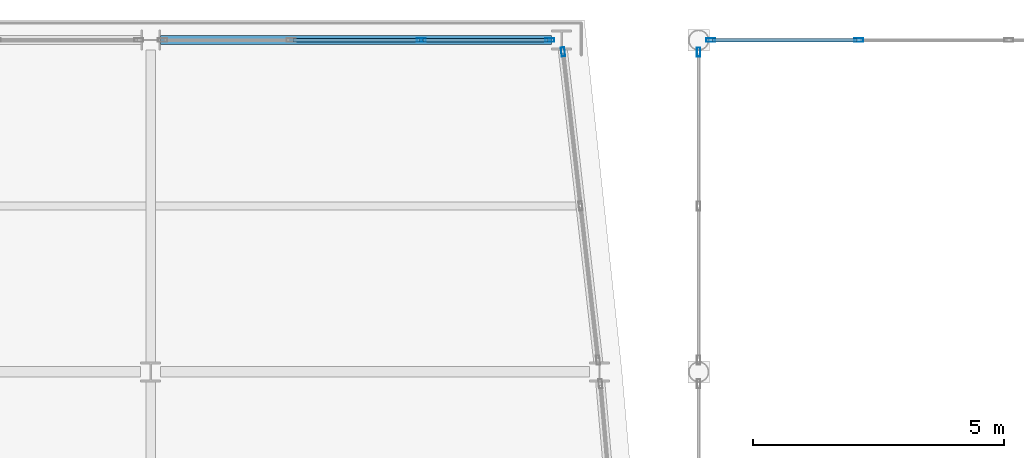
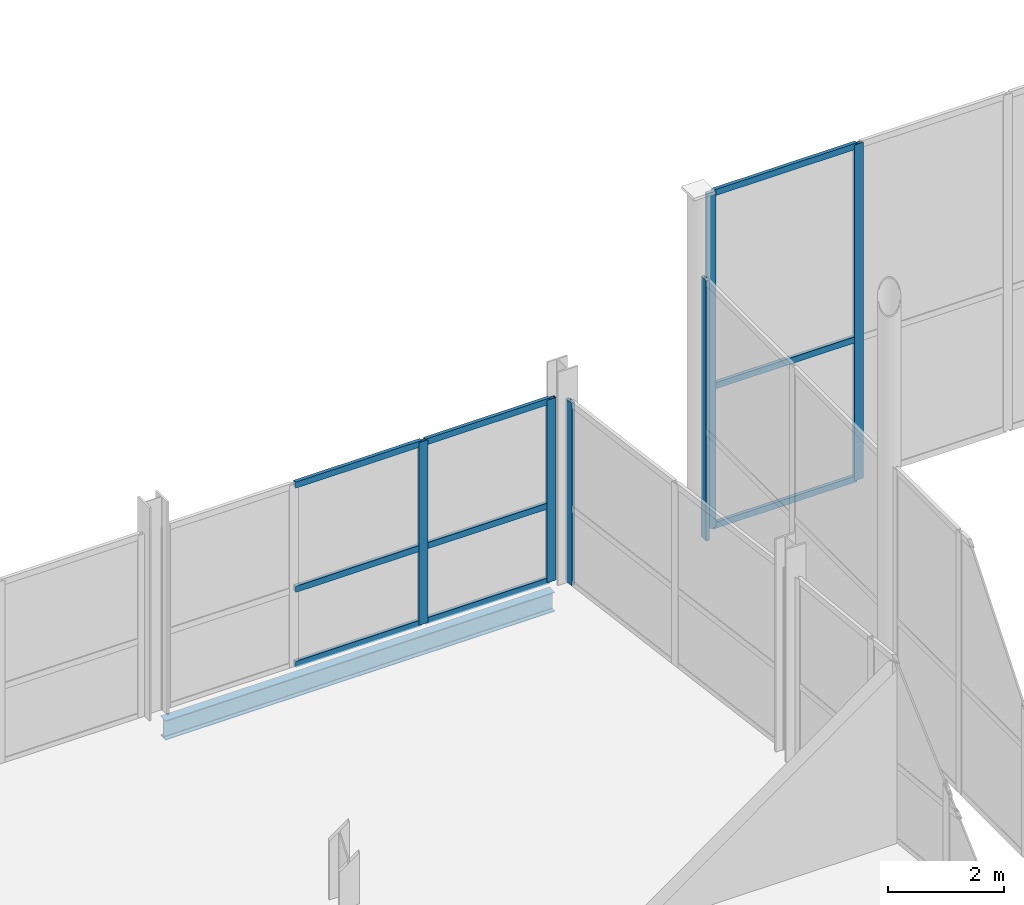
# One storey, part 38 of 77: 15 members, 1 beam, 4 elements without a shape of their own.
"""IFC4 building model written with IfcOpenShell, lengths in metres."""

from ifc_helpers import new_model, si_unit, direction, frame, origin, origin_2d, place, context, subcontext, project, spatial, hollow_rectangle, i_section, extrude, material, layer, layer_set, material_profile, profile_set, type_object, element, aggregate, save


model = new_model("IFC4")

# Units and contexts
model_context = context("Model", 3, precision=1e-05, world=origin(), true_north=direction((0.0, 1.0)))
body_context = subcontext(model_context, "Body", "Model", "MODEL_VIEW")
ifc_project = project(units=[si_unit("LENGTHUNIT", "METRE"), si_unit("AREAUNIT", "SQUARE_METRE"), si_unit("VOLUMEUNIT", "CUBIC_METRE"), si_unit("PLANEANGLEUNIT", "RADIAN"), si_unit("MASSUNIT", "GRAM", prefix="KILO")], contexts=[model_context])

# Site, building, storey
site_placement = place(None, origin())
site = spatial("IfcSite", under=ifc_project, at=site_placement, CompositionType="ELEMENT")
building_placement = place(site_placement, origin())
building = spatial("IfcBuilding", under=site, at=building_placement, Name="Quillay Park Conservatory", CompositionType="ELEMENT")
storey_placement = place(building_placement, frame((0.0, 0.0, 5.39990234375)))
storey = spatial("IfcBuildingStorey", under=building, at=storey_placement, Name="L01", CompositionType="ELEMENT", Elevation=5.39990234375)

# Curtain wall, member
ifc_material_1 = material(Name="Thermally Broken Anodised Aluminium 6063-T6", Category="aluminium")
ifc_layer_1 = layer(ifc_material_1, 0.179931640625)
ifc_layer_set_1 = layer_set([ifc_layer_1], Name="UNITISED CURTAIN WALL TOWER (Thermally Broken Anodised Aluminium 6063-T6)")
curtain_wall_type_1 = type_object("IfcCurtainWallType", Name="UNITISED CURTAIN WALL TOWER", PredefinedType="USERDEFINED", material=ifc_layer_set_1)
curtain_wall_1_placement = place(storey_placement, origin())
curtain_wall_1 = element("IfcCurtainWall", 1, at=curtain_wall_1_placement, inside=storey, type_object=curtain_wall_type_1, Name="L01 Unitised Curtain Wall 015", ObjectType="UNITISED CURTAIN WALL", PredefinedType="USERDEFINED")
ifc_material_2 = material(Name="Thermally Broken Anodised Aluminium 6063-T6", Category="aluminium")
ifc_material_profile_1 = material_profile(ifc_material_2, hollow_rectangle(XDim=0.070068359375, YDim=0.179931640625, WallThickness=0.00390625, at=origin_2d()), Name="AL70x180x4")
ifc_profile_set_1 = profile_set([ifc_material_profile_1], Name="Thermally Broken Anodised Aluminium 6063-T6")
member_type_1 = type_object("IfcMemberType", Name="CURTAIN WALL MULLION 70 X180", PredefinedType="MULLION", material=ifc_profile_set_1)
member_1_placement = place(storey_placement, frame((27.95166015625, 113.16650390625, 0.0), z_axis=(0.0, 0.0, 1.0), x_axis=(0.993605989969, 0.112903218278, 0.0)))
member_1 = element("IfcMember", 2, at=member_1_placement, type_object=member_type_1, Name="CW-T1 mullion 1", PredefinedType="MULLION", context=body_context, shape_type="SweptSolid", body=[
    extrude(hollow_rectangle(XDim=0.070068359375, YDim=0.179931640625, WallThickness=0.00390625, at=origin_2d()), origin(), (0.0, 0.0, 1.0), 3.859130859375),
])
aggregate(curtain_wall_1, [member_1])

# Curtain wall, members
curtain_wall_2_placement = place(storey_placement, origin())
curtain_wall_2 = element("IfcCurtainWall", 3, at=curtain_wall_2_placement, inside=storey, type_object=curtain_wall_type_1, Name="L01 Unitised Curtain Wall 018", ObjectType="UNITISED CURTAIN WALL", PredefinedType="USERDEFINED")
member_2_placement = place(storey_placement, frame((25.13330078125, 113.39990234375, 0.0), z_axis=(0.0, 0.0, 1.0), x_axis=(0.0, 1.0, 0.0)))
member_2 = element("IfcMember", 4, at=member_2_placement, type_object=member_type_1, Name="CW-T1 mullion 3", PredefinedType="MULLION", context=body_context, shape_type="SweptSolid", body=[
    extrude(hollow_rectangle(XDim=0.070068359375, YDim=0.179931640625, WallThickness=0.00390625, at=origin_2d()), origin(), (0.0, 0.0, 1.0), 3.859130859375),
])
member_3_placement = place(storey_placement, frame((27.68994140625, 113.39990234375, 0.0), z_axis=(0.0, 0.0, 1.0), x_axis=(0.0, 1.0, 0.0)))
member_3 = element("IfcMember", 5, at=member_3_placement, type_object=member_type_1, Name="CW-T1 mullion 4", PredefinedType="MULLION", context=body_context, shape_type="SweptSolid", body=[
    extrude(hollow_rectangle(XDim=0.070068359375, YDim=0.179931640625, WallThickness=0.00390625, at=origin_2d()), origin(), (0.0, 0.0, 1.0), 3.859130859375),
])

ifc_material_3 = material(Name="Thermally Broken Anodised Aluminium 6063-T6", Category="aluminium")
ifc_layer_2 = layer(ifc_material_3, 0.219970703125)
ifc_layer_set_2 = layer_set([ifc_layer_2], Name="UNITISED CURTAIN WALL CONSERVATORY (Thermally Broken Anodised Aluminium 6063-T6)")
curtain_wall_type_2 = type_object("IfcCurtainWallType", Name="UNITISED CURTAIN WALL CONSERVATORY", PredefinedType="USERDEFINED", material=ifc_layer_set_2)
curtain_wall_3_placement = place(storey_placement, origin())
curtain_wall_3 = element("IfcCurtainWall", 6, at=curtain_wall_3_placement, inside=storey, type_object=curtain_wall_type_2, Name="L01 Unitised Curtain Wall 148", ObjectType="UNITISED CURTAIN WALL", PredefinedType="USERDEFINED")
member_4_placement = place(storey_placement, frame((30.886962890625, 113.39990234375, 0.0), z_axis=(0.0, 0.0, 1.0), x_axis=(0.0, 1.0, 0.0)))
member_4 = element("IfcMember", 7, at=member_4_placement, type_object=member_type_1, Name="CW-C1 mullion 1", PredefinedType="MULLION", context=body_context, shape_type="SweptSolid", body=[
    extrude(hollow_rectangle(XDim=0.070068359375, YDim=0.179931640625, WallThickness=0.00390625, at=origin_2d()), origin(), (0.0, 0.0, 1.0), 7.104248046875),
])
member_5_placement = place(storey_placement, frame((33.8359375, 113.39990234375, 0.0), z_axis=(0.0, 0.0, 1.0), x_axis=(0.0, 1.0, 0.0)))
member_5 = element("IfcMember", 8, at=member_5_placement, type_object=member_type_1, Name="CW-C1 mullion 2", PredefinedType="MULLION", context=body_context, shape_type="SweptSolid", body=[
    extrude(hollow_rectangle(XDim=0.070068359375, YDim=0.179931640625, WallThickness=0.00390625, at=origin_2d()), origin(), (0.0, 0.0, 1.0), 7.104248046875),
])

# Curtain wall, member
curtain_wall_4_placement = place(storey_placement, origin())
curtain_wall_4 = element("IfcCurtainWall", 9, at=curtain_wall_4_placement, inside=storey, type_object=curtain_wall_type_2, Name="L01 Unitised Curtain Wall 172", ObjectType="UNITISED CURTAIN WALL", PredefinedType="USERDEFINED")
member_6_placement = place(storey_placement, frame((30.64990234375, 113.1630859375, 0.0), z_axis=(0.0, 0.0, 1.0), x_axis=(-1.0, 0.0, 0.0)))
member_6 = element("IfcMember", 10, at=member_6_placement, type_object=member_type_1, Name="CW-C1 mullion 3", PredefinedType="MULLION", context=body_context, shape_type="SweptSolid", body=[
    extrude(hollow_rectangle(XDim=0.070068359375, YDim=0.179931640625, WallThickness=0.00390625, at=origin_2d()), origin(), (0.0, 0.0, 1.0), 5.5),
])
aggregate(curtain_wall_4, [member_6])

# Member
ifc_material_4 = material(Name="Thermally Broken Anodised Aluminium 6063-T6", Category="aluminium")
ifc_material_profile_2 = material_profile(ifc_material_4, hollow_rectangle(XDim=0.070068359375, YDim=0.1298828125, WallThickness=0.003173828125, at=origin_2d()), Name="AL70x130x3.2")
ifc_profile_set_2 = profile_set([ifc_material_profile_2], Name="Thermally Broken Anodised Aluminium 6063-T6")
member_type_2 = type_object("IfcMemberType", Name="CURTAIN WALL TRANSOM 70 X130", PredefinedType="USERDEFINED", material=ifc_profile_set_2)
member_7_placement = place(storey_placement, frame((22.57666015625, 113.39990234375, 0.03515625), z_axis=(1.0, 0.0, 0.0), x_axis=(0.0, 1.0, 0.0)))
member_7 = element("IfcMember", 11, at=member_7_placement, type_object=member_type_2, Name="CW-T1 transom 2.1", ObjectType="TRANSOM", PredefinedType="USERDEFINED", context=body_context, shape_type="SweptSolid", body=[
    extrude(hollow_rectangle(XDim=0.070068359375, YDim=0.1298828125, WallThickness=0.003173828125, at=origin_2d()), origin(), (0.0, 0.0, 1.0), 2.521728515625),
])

member_8_placement = place(storey_placement, frame((22.57666015625, 113.39990234375, 1.620849609375), z_axis=(1.0, 0.0, 0.0), x_axis=(0.0, 1.0, 0.0)))
member_8 = element("IfcMember", 12, at=member_8_placement, type_object=member_type_2, Name="CW-T1 transom 2.2", ObjectType="TRANSOM", PredefinedType="USERDEFINED", context=body_context, shape_type="SweptSolid", body=[
    extrude(hollow_rectangle(XDim=0.070068359375, YDim=0.1298828125, WallThickness=0.003173828125, at=origin_2d()), origin(), (0.0, 0.0, 1.0), 2.521728515625),
])

member_9_placement = place(storey_placement, frame((22.57666015625, 113.39990234375, 3.82421875), z_axis=(1.0, 0.0, 0.0), x_axis=(0.0, 1.0, 0.0)))
member_9 = element("IfcMember", 13, at=member_9_placement, type_object=member_type_2, Name="CW-T1 transom 2.3", ObjectType="TRANSOM", PredefinedType="USERDEFINED", context=body_context, shape_type="SweptSolid", body=[
    extrude(hollow_rectangle(XDim=0.070068359375, YDim=0.1298828125, WallThickness=0.003173828125, at=origin_2d()), origin(), (0.0, 0.0, 1.0), 2.521728515625),
])

member_10_placement = place(storey_placement, frame((25.168212890625, 113.39990234375, 0.03515625), z_axis=(1.0, 0.0, 0.0), x_axis=(0.0, 1.0, 0.0)))
member_10 = element("IfcMember", 14, at=member_10_placement, type_object=member_type_2, Name="CW-T1 transom 3.1", ObjectType="TRANSOM", PredefinedType="USERDEFINED", context=body_context, shape_type="SweptSolid", body=[
    extrude(hollow_rectangle(XDim=0.070068359375, YDim=0.1298828125, WallThickness=0.003173828125, at=origin_2d()), origin(), (0.0, 0.0, 1.0), 2.48681640625),
])

member_11_placement = place(storey_placement, frame((25.168212890625, 113.39990234375, 1.620849609375), z_axis=(1.0, 0.0, 0.0), x_axis=(0.0, 1.0, 0.0)))
member_11 = element("IfcMember", 15, at=member_11_placement, type_object=member_type_2, Name="CW-T1 transom 3.2", ObjectType="TRANSOM", PredefinedType="USERDEFINED", context=body_context, shape_type="SweptSolid", body=[
    extrude(hollow_rectangle(XDim=0.070068359375, YDim=0.1298828125, WallThickness=0.003173828125, at=origin_2d()), origin(), (0.0, 0.0, 1.0), 2.48681640625),
])

member_12_placement = place(storey_placement, frame((25.168212890625, 113.39990234375, 3.82421875), z_axis=(1.0, 0.0, 0.0), x_axis=(0.0, 1.0, 0.0)))
member_12 = element("IfcMember", 16, at=member_12_placement, type_object=member_type_2, Name="CW-T1 transom 3.3", ObjectType="TRANSOM", PredefinedType="USERDEFINED", context=body_context, shape_type="SweptSolid", body=[
    extrude(hollow_rectangle(XDim=0.070068359375, YDim=0.1298828125, WallThickness=0.003173828125, at=origin_2d()), origin(), (0.0, 0.0, 1.0), 2.48681640625),
])

aggregate(curtain_wall_2, [member_2, member_3, member_7, member_8, member_9, member_10, member_11, member_12])

member_13_placement = place(storey_placement, frame((30.922119140625, 113.39990234375, 0.03515625), z_axis=(1.0, 0.0, 0.0), x_axis=(0.0, 1.0, 0.0)))
member_13 = element("IfcMember", 17, at=member_13_placement, type_object=member_type_2, Name="CW-C1 transom 1.1", ObjectType="TRANSOM", PredefinedType="USERDEFINED", context=body_context, shape_type="SweptSolid", body=[
    extrude(hollow_rectangle(XDim=0.070068359375, YDim=0.1298828125, WallThickness=0.003173828125, at=origin_2d()), origin(), (0.0, 0.0, 1.0), 2.878662109375),
])

member_14_placement = place(storey_placement, frame((30.922119140625, 113.39990234375, 2.98388671875), z_axis=(1.0, 0.0, 0.0), x_axis=(0.0, 1.0, 0.0)))
member_14 = element("IfcMember", 18, at=member_14_placement, type_object=member_type_2, Name="CW-C1 transom 1.2", ObjectType="TRANSOM", PredefinedType="USERDEFINED", context=body_context, shape_type="SweptSolid", body=[
    extrude(hollow_rectangle(XDim=0.070068359375, YDim=0.1298828125, WallThickness=0.003173828125, at=origin_2d()), origin(), (0.0, 0.0, 1.0), 2.878662109375),
])

member_15_placement = place(storey_placement, frame((30.922119140625, 113.39990234375, 7.0693359375), z_axis=(1.0, 0.0, 0.0), x_axis=(0.0, 1.0, 0.0)))
member_15 = element("IfcMember", 19, at=member_15_placement, type_object=member_type_2, Name="CW-C1 transom 1.3", ObjectType="TRANSOM", PredefinedType="USERDEFINED", context=body_context, shape_type="SweptSolid", body=[
    extrude(hollow_rectangle(XDim=0.070068359375, YDim=0.1298828125, WallThickness=0.003173828125, at=origin_2d()), origin(), (0.0, 0.0, 1.0), 2.878662109375),
])

aggregate(curtain_wall_3, [member_4, member_5, member_13, member_14, member_15])

# Beam
ifc_material_5 = material(Name="Steel ASTM A992 Grade 50", Category="steel")
ifc_material_profile_3 = material_profile(ifc_material_5, i_section(OverallWidth=0.179931640625, OverallDepth=0.4130859375, WebThickness=0.009765625, FlangeThickness=0.01611328125, FilletRadius=0.011962890625, at=origin_2d()), Name="W410x74")
ifc_profile_set_3 = profile_set([ifc_material_profile_3], Name="Steel ASTM A992 Grade 50")
beam_type = type_object("IfcBeamType", Name="PERIMETER SPANDREL BEAM W410 X74", PredefinedType="SPANDREL", material=ifc_profile_set_3)
beam_placement = place(storey_placement, frame((19.946533203125, 113.39990234375, -0.406494140625), z_axis=(1.0, 0.0, 0.0), x_axis=(0.0, 1.0, 0.0)))
element("IfcBeam", 20, at=beam_placement, inside=storey, type_object=beam_type, Name="L01 beam BM-SP-0129", PredefinedType="SPANDREL", context=body_context, shape_type="SweptSolid", body=[
    extrude(i_section(OverallWidth=0.179931640625, OverallDepth=0.4130859375, WebThickness=0.009765625, FlangeThickness=0.01611328125, FilletRadius=0.011962890625, at=origin_2d()), origin(), (0.0, 0.0, 1.0), 7.779052734375),
])

save(model, "model.ifc")
